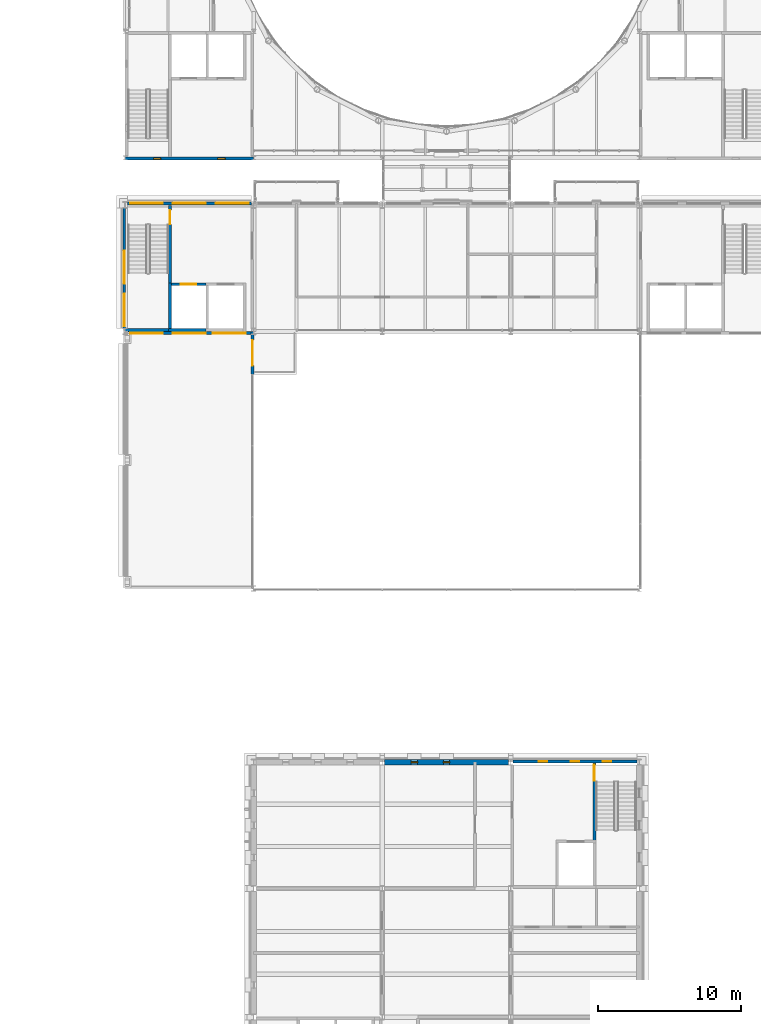
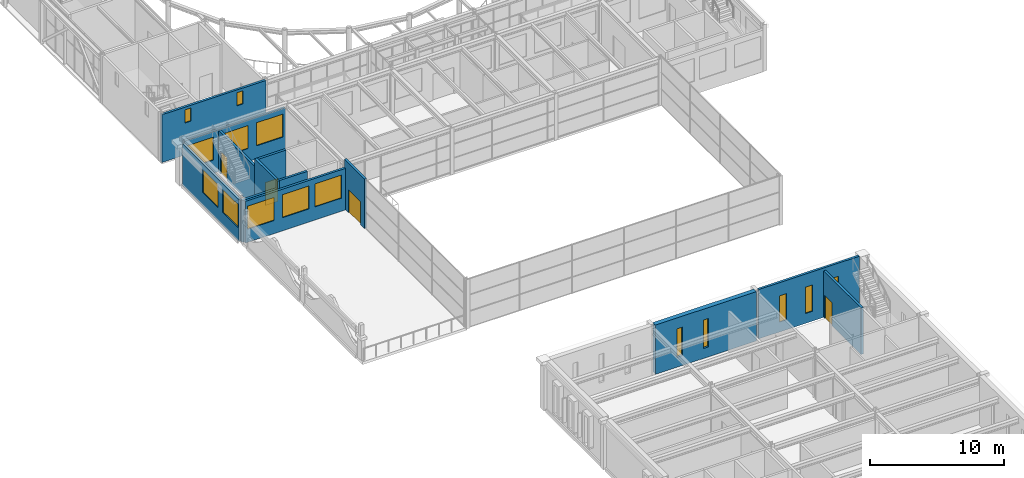
# One storey, part 51 of 70: 15 windows, 13 walls, 4 doors, 19 openings.
"""IFC4 building model written with IfcOpenShell, lengths in metres."""

from ifc_helpers import new_model, si_unit, direction, frame, frame_2d, origin, place, context, subcontext, project, spatial, rectangle, extrude, material, layer, layer_set, type_object, element, fill, save


model = new_model("IFC4")

# Units and contexts
model_context = context("Model", 3, precision=1e-05, world=origin(), true_north=direction((0.0, 1.0)))
body_context = subcontext(model_context, "Body", "Model", "MODEL_VIEW")
ifc_project = project(units=[si_unit("LENGTHUNIT", "METRE"), si_unit("AREAUNIT", "SQUARE_METRE"), si_unit("VOLUMEUNIT", "CUBIC_METRE"), si_unit("PLANEANGLEUNIT", "RADIAN"), si_unit("MASSUNIT", "GRAM", prefix="KILO")], contexts=[model_context])

# Site, building, storey
site_placement = place(None, origin())
site = spatial("IfcSite", under=ifc_project, at=site_placement, CompositionType="ELEMENT")
building_placement = place(site_placement, origin())
building = spatial("IfcBuilding", under=site, at=building_placement, Name="Kallimachos Central Library", CompositionType="ELEMENT")
storey_placement = place(building_placement, frame((0.0, 0.0, 18.89990234375)))
storey = spatial("IfcBuildingStorey", under=building, at=storey_placement, Name="L04", CompositionType="ELEMENT", Elevation=18.89990234375)

# Wall, opening, door
ifc_material_1 = material(Name="Brick masonry", Category="masonry")
ifc_layer_1 = layer(ifc_material_1, 0.199951171875)
ifc_layer_set_1 = layer_set([ifc_layer_1], Name="Atrium screen wall 200")
wall_type_1 = type_object("IfcWallType", Name="Atrium screen wall 200", PredefinedType="SOLIDWALL", material=ifc_layer_set_1)
wall_1_placement = place(storey_placement, frame((74.419921875, 72.0, 0.0), z_axis=(0.0, 0.0, 1.0), x_axis=(0.0, 1.0, 0.0)))
wall_1 = element("IfcWall", 1, at=wall_1_placement, inside=storey, type_object=wall_type_1, Name="L04 atrium screen wall W", PredefinedType="SOLIDWALL", context=body_context, shape_type="SweptSolid", body=[
    extrude(rectangle(XDim=3.0, YDim=0.199951171875, at=frame_2d((1.5, 0.0))), origin(), (0.0, 0.0, 1.0), 4.5),
])
opening_1_placement = place(wall_1_placement, frame((0.60009765625, 0.0, 0.0)))
opening_1 = element("IfcOpeningElement", 2, at=opening_1_placement, cuts=wall_1, Name="Opening D42", PredefinedType="OPENING", context=body_context, shape_type="SweptSolid", body=[
    extrude(rectangle(XDim=1.800048828125, YDim=2.10009765625, at=frame_2d((0.89990234375, 1.050048828125))), frame((0.0, 0.10986328125, 0.0), z_axis=(0.0, -1.0, 0.0), x_axis=(1.0, 0.0, 0.0)), (0.0, 0.0, 1.0), 0.219970703125),
])
ifc_material_2 = material(Name="Timber and glass", Category="wood")
door_type_1 = type_object("IfcDoorType", Name="Double leaf door 1800 x 2100, EI2 90", OperationType="DOUBLE_DOOR_SINGLE_SWING", PredefinedType="DOOR", material=ifc_material_2)
door_1_placement = place(opening_1_placement, origin())
door_1 = element("IfcDoor", 3, at=door_1_placement, inside=storey, type_object=door_type_1, Name="Atrium Door W", OperationType="DOUBLE_DOOR_SINGLE_SWING", OverallHeight=2.10009765625, OverallWidth=1.800048828125, PredefinedType="DOOR", context=body_context, shape_type="SweptSolid", body=[
    extrude(rectangle(XDim=1.800048828125, YDim=2.10009765625, at=frame_2d((0.89990234375, 1.050048828125))), frame((0.0, 0.02490234375, 0.0), z_axis=(0.0, -1.0, 0.0), x_axis=(1.0, 0.0, 0.0)), (0.0, 0.0, 1.0), 0.050048828125),
])
fill(opening_1, door_1)

ifc_material_3 = material(Name="Concrete C30/37", Category="concrete")
ifc_layer_2 = layer(ifc_material_3, 0.199951171875)
ifc_layer_set_2 = layer_set([ifc_layer_2], Name="Core wall 200")
wall_type_2 = type_object("IfcWallType", Name="Core wall 200", PredefinedType="SOLIDWALL", material=ifc_layer_set_2)
wall_2_placement = place(storey_placement, frame((98.35009765625, 39.199951171875, 0.0), z_axis=(0.0, 0.0, 1.0), x_axis=(0.0, 1.0, 0.0)))
wall_2 = element("IfcWall", 4, at=wall_2_placement, inside=storey, type_object=wall_type_2, Name="V5-WAL-L04-030", PredefinedType="SOLIDWALL", context=body_context, shape_type="SweptSolid", body=[
    extrude(rectangle(XDim=5.60009765625, YDim=0.199951171875, at=frame_2d((2.800048828125, 0.0))), origin(), (0.0, 0.0, 1.0), 4.25),
])
opening_2_placement = place(wall_2_placement, frame((4.35009765625, 0.0, 0.0)))
opening_2 = element("IfcOpeningElement", 5, at=opening_2_placement, cuts=wall_2, Name="Opening D133", PredefinedType="OPENING", context=body_context, shape_type="SweptSolid", body=[
    extrude(rectangle(XDim=1.10009765625, YDim=2.10009765625, at=frame_2d((0.550048828125, 1.050048828125))), frame((0.0, 0.10986328125, 0.0), z_axis=(0.0, -1.0, 0.0), x_axis=(1.0, 0.0, 0.0)), (0.0, 0.0, 1.0), 0.219970703125),
])
ifc_material_4 = material(Name="Steel fire door", Category="steel")
door_type_2 = type_object("IfcDoorType", Name="Fire door EI2 90 1100 x 2100", OperationType="NOTDEFINED", PredefinedType="DOOR", material=ifc_material_4)
door_2_placement = place(opening_2_placement, frame((1.10009765625, 0.0, 0.0), z_axis=(0.0, 0.0, 1.0), x_axis=(-1.0, 0.0, 0.0)))
door_2 = element("IfcDoor", 6, at=door_2_placement, inside=storey, type_object=door_type_2, Name="ST14 stair door L04", OperationType="SINGLE_SWING_RIGHT", OverallHeight=2.10009765625, OverallWidth=1.10009765625, PredefinedType="DOOR", context=body_context, shape_type="SweptSolid", body=[
    extrude(rectangle(XDim=1.10009765625, YDim=2.10009765625, at=frame_2d((0.550048828125, 1.050048828125))), frame((0.0, 0.02490234375, 0.0), z_axis=(0.0, -1.0, 0.0), x_axis=(1.0, 0.0, 0.0)), (0.0, 0.0, 1.0), 0.050048828125),
])
fill(opening_2, door_2)

ifc_material_5 = material(Name="Concrete C30/37", Category="concrete")
ifc_layer_3 = layer(ifc_material_5, 0.199951171875)
ifc_layer_set_3 = layer_set([ifc_layer_3], Name="Lift shaft wall 200")
wall_type_3 = type_object("IfcWallType", Name="Lift shaft wall 200", PredefinedType="SOLIDWALL", material=ifc_layer_set_3)
wall_3_placement = place(storey_placement, frame((68.75, 78.300048828125, 0.0), z_axis=(0.0, 0.0, 1.0), x_axis=(1.0, 0.0, 0.0)))
wall_3 = element("IfcWall", 7, at=wall_3_placement, inside=storey, type_object=wall_type_3, Name="V4-WAL-L04-001", PredefinedType="SOLIDWALL", context=body_context, shape_type="SweptSolid", body=[
    extrude(rectangle(XDim=2.39990234375, YDim=0.199951171875, at=frame_2d((1.199951171875, 0.0))), origin(), (0.0, 0.0, 1.0), 4.5),
])
opening_3_placement = place(wall_3_placement, frame((0.64990234375, 0.0, 0.0)))
opening_3 = element("IfcOpeningElement", 8, at=opening_3_placement, cuts=wall_3, Name="Opening LD1100", PredefinedType="OPENING", context=body_context, shape_type="SweptSolid", body=[
    extrude(rectangle(XDim=1.10009765625, YDim=2.10009765625, at=frame_2d((0.550048828125, 1.050048828125))), frame((0.0, 0.10986328125, 0.0), z_axis=(0.0, -1.0, 0.0), x_axis=(1.0, 0.0, 0.0)), (0.0, 0.0, 1.0), 0.219970703125),
])
ifc_material_6 = material(Name="Stainless steel", Category="steel")
door_type_3 = type_object("IfcDoorType", Name="Lift landing door 1100 x 2100", OperationType="SLIDING_TO_LEFT", PredefinedType="DOOR", material=ifc_material_6)
door_3_placement = place(opening_3_placement, origin())
door_3 = element("IfcDoor", 9, at=door_3_placement, inside=storey, type_object=door_type_3, Name="LF7 landing door L04", OperationType="SLIDING_TO_LEFT", OverallHeight=2.10009765625, OverallWidth=1.10009765625, PredefinedType="DOOR", context=body_context, shape_type="SweptSolid", body=[
    extrude(rectangle(XDim=1.10009765625, YDim=2.10009765625, at=frame_2d((0.550048828125, 1.050048828125))), frame((0.0, 0.02490234375, 0.0), z_axis=(0.0, -1.0, 0.0), x_axis=(1.0, 0.0, 0.0)), (0.0, 0.0, 1.0), 0.050048828125),
])
fill(opening_3, door_3)

# Walls
wall_4_placement = place(storey_placement, frame((68.550048828125, 75.10009765625, 0.0), z_axis=(0.0, 0.0, 1.0), x_axis=(1.0, 0.0, 0.0)))
element("IfcWall", 10, at=wall_4_placement, inside=storey, type_object=wall_type_3, Name="V4-WAL-L04-002", PredefinedType="SOLIDWALL", context=body_context, shape_type="SweptSolid", body=[
    extrude(rectangle(XDim=2.599853515625, YDim=0.199951171875, at=frame_2d((1.2998046875, 0.0))), origin(), (0.0, 0.0, 1.0), 4.5),
])
wall_5_placement = place(storey_placement, frame((68.64990234375, 75.0, 0.0), z_axis=(0.0, 0.0, 1.0), x_axis=(0.0, 1.0, 0.0)))
element("IfcWall", 11, at=wall_5_placement, inside=storey, type_object=wall_type_3, Name="V4-WAL-L04-003", PredefinedType="SOLIDWALL", context=body_context, shape_type="SweptSolid", body=[
    extrude(rectangle(XDim=3.39990234375, YDim=0.199951171875, at=frame_2d((1.699951171875, 0.0))), origin(), (0.0, 0.0, 1.0), 4.5),
])
ifc_material_7 = material(Name="Concrete C35/45", Category="concrete")
ifc_layer_4 = layer(ifc_material_7, 0.199951171875)
ifc_layer_set_4 = layer_set([ifc_layer_4], Name="Shear core wall 200, internal")
wall_type_4 = type_object("IfcWallType", Name="Shear core wall 200, internal", PredefinedType="SHEAR", material=ifc_layer_set_4)
wall_6_placement = place(storey_placement, frame((65.5, 75.10009765625, 0.0), z_axis=(0.0, 0.0, 1.0), x_axis=(1.0, 0.0, 0.0)))
element("IfcWall", 12, at=wall_6_placement, inside=storey, type_object=wall_type_4, Name="L04 core wall V4-NW S", PredefinedType="SHEAR", context=body_context, shape_type="SweptSolid", body=[
    extrude(rectangle(XDim=3.050048828125, YDim=0.199951171875, at=frame_2d((1.52490234375, 0.0))), origin(), (0.0, 0.0, 1.0), 3.800048828125),
])

# Wall, opening, door
wall_7_placement = place(storey_placement, frame((68.64990234375, 78.39990234375, 0.0), z_axis=(0.0, 0.0, 1.0), x_axis=(0.0, 1.0, 0.0)))
wall_7 = element("IfcWall", 13, at=wall_7_placement, inside=storey, type_object=wall_type_4, Name="L04 core wall V4-NW M", PredefinedType="SHEAR", context=body_context, shape_type="SweptSolid", body=[
    extrude(rectangle(XDim=5.400146484375, YDim=0.199951171875, at=frame_2d((2.7001953125, 0.0))), origin(), (0.0, 0.0, 1.0), 3.800048828125),
])
opening_4_placement = place(wall_7_placement, frame((4.10009765625, 0.0, 0.0)))
opening_4 = element("IfcOpeningElement", 14, at=opening_4_placement, cuts=wall_7, Name="Opening D155", PredefinedType="OPENING", context=body_context, shape_type="SweptSolid", body=[
    extrude(rectangle(XDim=1.0, YDim=2.10009765625, at=frame_2d((0.5, 1.050048828125))), frame((0.0, 0.10986328125, 0.0), z_axis=(0.0, -1.0, 0.0), x_axis=(1.0, 0.0, 0.0)), (0.0, 0.0, 1.0), 0.219970703125),
])
ifc_material_8 = material(Name="Timber", Category="wood")
door_type_4 = type_object("IfcDoorType", Name="Single leaf door 1000 x 2100, EI2 90", OperationType="NOTDEFINED", PredefinedType="DOOR", material=ifc_material_8)
door_4_placement = place(opening_4_placement, origin())
door_4 = element("IfcDoor", 15, at=door_4_placement, inside=storey, type_object=door_type_4, Name="L04 core door V4-NW", OperationType="SINGLE_SWING_RIGHT", OverallHeight=2.10009765625, OverallWidth=1.0, PredefinedType="DOOR", context=body_context, shape_type="SweptSolid", body=[
    extrude(rectangle(XDim=1.0, YDim=2.10009765625, at=frame_2d((0.5, 1.050048828125))), frame((0.0, 0.02490234375, 0.0), z_axis=(0.0, -1.0, 0.0), x_axis=(1.0, 0.0, 0.0)), (0.0, 0.0, 1.0), 0.050048828125),
])
fill(opening_4, door_4)

# Wall, openings, windows
ifc_material_9 = material(Name="Pentelic marble masonry", Category="masonry")
ifc_layer_5 = layer(ifc_material_9, 0.39990234375)
ifc_layer_set_5 = layer_set([ifc_layer_5], Name="Stone masonry wall 400")
wall_type_5 = type_object("IfcWallType", Name="Stone masonry wall 400", PredefinedType="SOLIDWALL", material=ifc_layer_set_5)
wall_8_placement = place(storey_placement, frame((83.64990234375, 44.85009765625, 0.0), z_axis=(0.0, 0.0, 1.0), x_axis=(1.0, 0.0, 0.0)))
wall_8 = element("IfcWall", 16, at=wall_8_placement, inside=storey, type_object=wall_type_5, Name="V5-WAL-L04-014", PredefinedType="SOLIDWALL", context=body_context, shape_type="SweptSolid", body=[
    extrude(rectangle(XDim=8.7001953125, YDim=0.39990234375, at=frame_2d((4.35009765625, 0.0))), origin(), (0.0, 0.0, 1.0), 4.5),
])
opening_5_placement = place(wall_8_placement, frame((1.875, 0.0, 0.89990234375)))
opening_5 = element("IfcOpeningElement", 17, at=opening_5_placement, cuts=wall_8, Name="Opening WN142", PredefinedType="OPENING", context=body_context, shape_type="SweptSolid", body=[
    extrude(rectangle(XDim=0.449951171875, YDim=2.60009765625, at=frame_2d((0.22509765625, 1.300048828125))), frame((0.0, 0.2099609375, 0.0), z_axis=(0.0, -1.0, 0.0), x_axis=(1.0, 0.0, 0.0)), (0.0, 0.0, 1.0), 0.419921875),
])
opening_6_placement = place(wall_8_placement, frame((4.125, 0.0, 0.89990234375)))
opening_6 = element("IfcOpeningElement", 18, at=opening_6_placement, cuts=wall_8, Name="Opening WN143", PredefinedType="OPENING", context=body_context, shape_type="SweptSolid", body=[
    extrude(rectangle(XDim=0.449951171875, YDim=2.60009765625, at=frame_2d((0.22509765625, 1.300048828125))), frame((0.0, 0.2099609375, 0.0), z_axis=(0.0, -1.0, 0.0), x_axis=(1.0, 0.0, 0.0)), (0.0, 0.0, 1.0), 0.419921875),
])
ifc_material_10 = material(Name="Anodised aluminium and laminated glass", Category="aluminium")
window_type_1 = type_object("IfcWindowType", Name="Stack slot window 450 x 2600", PartitioningType="SINGLE_PANEL", PredefinedType="WINDOW", material=ifc_material_10)
window_1_placement = place(opening_5_placement, origin())
window_1 = element("IfcWindow", 19, at=window_1_placement, inside=storey, type_object=window_type_1, Name="V5-WIN-L04-012", OverallHeight=2.60009765625, OverallWidth=0.449951171875, PartitioningType="SINGLE_PANEL", PredefinedType="WINDOW", context=body_context, shape_type="SweptSolid", body=[
    extrude(rectangle(XDim=0.449951171875, YDim=2.60009765625, at=frame_2d((0.22509765625, 1.300048828125))), frame((0.0, 0.030029296875, 0.0), z_axis=(0.0, -1.0, 0.0), x_axis=(1.0, 0.0, 0.0)), (0.0, 0.0, 1.0), 0.06005859375),
])
fill(opening_5, window_1)
window_2_placement = place(opening_6_placement, origin())
window_2 = element("IfcWindow", 20, at=window_2_placement, inside=storey, type_object=window_type_1, Name="V5-WIN-L04-013", OverallHeight=2.60009765625, OverallWidth=0.449951171875, PartitioningType="SINGLE_PANEL", PredefinedType="WINDOW", context=body_context, shape_type="SweptSolid", body=[
    extrude(rectangle(XDim=0.449951171875, YDim=2.60009765625, at=frame_2d((0.22509765625, 1.300048828125))), frame((0.0, 0.030029296875, 0.0), z_axis=(0.0, -1.0, 0.0), x_axis=(1.0, 0.0, 0.0)), (0.0, 0.0, 1.0), 0.06005859375),
])
fill(opening_6, window_2)

ifc_material_11 = material(Name="Concrete C30/37", Category="concrete")
ifc_layer_6 = layer(ifc_material_11, 0.199951171875)
ifc_layer_set_6 = layer_set([ifc_layer_6], Name="Stone-clad core wall 200")
wall_type_6 = type_object("IfcWallType", Name="Stone-clad core wall 200", PredefinedType="SOLIDWALL", material=ifc_layer_set_6)
wall_9_placement = place(storey_placement, frame((92.64990234375, 44.89990234375, 0.0), z_axis=(0.0, 0.0, 1.0), x_axis=(1.0, 0.0, 0.0)))
wall_9 = element("IfcWall", 21, at=wall_9_placement, inside=storey, type_object=wall_type_6, Name="V5-WAL-L04-015", PredefinedType="SOLIDWALL", context=body_context, shape_type="SweptSolid", body=[
    extrude(rectangle(XDim=8.7001953125, YDim=0.199951171875, at=frame_2d((4.35009765625, 0.0))), origin(), (0.0, 0.0, 1.0), 4.5),
])
opening_7_placement = place(wall_9_placement, frame((1.800048828125, 0.0, 0.89990234375)))
opening_7 = element("IfcOpeningElement", 22, at=opening_7_placement, cuts=wall_9, Name="Opening WN144", PredefinedType="OPENING", context=body_context, shape_type="SweptSolid", body=[
    extrude(rectangle(XDim=0.60009765625, YDim=2.39990234375, at=frame_2d((0.300048828125, 1.199951171875))), frame((0.0, 0.10986328125, 0.0), z_axis=(0.0, -1.0, 0.0), x_axis=(1.0, 0.0, 0.0)), (0.0, 0.0, 1.0), 0.219970703125),
])
opening_8_placement = place(wall_9_placement, frame((4.050048828125, 0.0, 0.89990234375)))
opening_8 = element("IfcOpeningElement", 23, at=opening_8_placement, cuts=wall_9, Name="Opening WN145", PredefinedType="OPENING", context=body_context, shape_type="SweptSolid", body=[
    extrude(rectangle(XDim=0.60009765625, YDim=2.39990234375, at=frame_2d((0.300048828125, 1.199951171875))), frame((0.0, 0.10986328125, 0.0), z_axis=(0.0, -1.0, 0.0), x_axis=(1.0, 0.0, 0.0)), (0.0, 0.0, 1.0), 0.219970703125),
])
opening_9_placement = place(wall_9_placement, frame((6.300048828125, 0.0, 0.89990234375)))
opening_9 = element("IfcOpeningElement", 24, at=opening_9_placement, cuts=wall_9, Name="Opening WN146", PredefinedType="OPENING", context=body_context, shape_type="SweptSolid", body=[
    extrude(rectangle(XDim=0.60009765625, YDim=2.39990234375, at=frame_2d((0.300048828125, 1.199951171875))), frame((0.0, 0.10986328125, 0.0), z_axis=(0.0, -1.0, 0.0), x_axis=(1.0, 0.0, 0.0)), (0.0, 0.0, 1.0), 0.219970703125),
])
ifc_material_12 = material(Name="Anodised aluminium and laminated glass", Category="aluminium")
window_type_2 = type_object("IfcWindowType", Name="Slot window 600 x 2400", PartitioningType="SINGLE_PANEL", PredefinedType="WINDOW", material=ifc_material_12)
window_3_placement = place(opening_7_placement, origin())
window_3 = element("IfcWindow", 25, at=window_3_placement, inside=storey, type_object=window_type_2, Name="V5-WIN-L04-014", OverallHeight=2.39990234375, OverallWidth=0.60009765625, PartitioningType="SINGLE_PANEL", PredefinedType="WINDOW", context=body_context, shape_type="SweptSolid", body=[
    extrude(rectangle(XDim=0.60009765625, YDim=2.39990234375, at=frame_2d((0.300048828125, 1.199951171875))), frame((0.0, 0.030029296875, 0.0), z_axis=(0.0, -1.0, 0.0), x_axis=(1.0, 0.0, 0.0)), (0.0, 0.0, 1.0), 0.06005859375),
])
fill(opening_7, window_3)
window_4_placement = place(opening_8_placement, origin())
window_4 = element("IfcWindow", 26, at=window_4_placement, inside=storey, type_object=window_type_2, Name="V5-WIN-L04-015", OverallHeight=2.39990234375, OverallWidth=0.60009765625, PartitioningType="SINGLE_PANEL", PredefinedType="WINDOW", context=body_context, shape_type="SweptSolid", body=[
    extrude(rectangle(XDim=0.60009765625, YDim=2.39990234375, at=frame_2d((0.300048828125, 1.199951171875))), frame((0.0, 0.030029296875, 0.0), z_axis=(0.0, -1.0, 0.0), x_axis=(1.0, 0.0, 0.0)), (0.0, 0.0, 1.0), 0.06005859375),
])
fill(opening_8, window_4)
window_5_placement = place(opening_9_placement, origin())
window_5 = element("IfcWindow", 27, at=window_5_placement, inside=storey, type_object=window_type_2, Name="V5-WIN-L04-016", OverallHeight=2.39990234375, OverallWidth=0.60009765625, PartitioningType="SINGLE_PANEL", PredefinedType="WINDOW", context=body_context, shape_type="SweptSolid", body=[
    extrude(rectangle(XDim=0.60009765625, YDim=2.39990234375, at=frame_2d((0.300048828125, 1.199951171875))), frame((0.0, 0.030029296875, 0.0), z_axis=(0.0, -1.0, 0.0), x_axis=(1.0, 0.0, 0.0)), (0.0, 0.0, 1.0), 0.06005859375),
])
fill(opening_9, window_5)

wall_10_placement = place(storey_placement, frame((65.510986328125, 87.10009765625, 0.0), z_axis=(0.0, 0.0, 1.0), x_axis=(1.0, 0.0, 0.0)))
wall_10 = element("IfcWall", 28, at=wall_10_placement, inside=storey, type_object=wall_type_6, Name="Core wall V1-SW S", PredefinedType="SOLIDWALL", context=body_context, shape_type="SweptSolid", body=[
    extrude(rectangle(XDim=8.97802734375, YDim=0.199951171875, at=frame_2d((4.489013671875, 0.0))), origin(), (0.0, 0.0, 1.0), 4.35009765625),
])
opening_10_placement = place(wall_10_placement, frame((1.989013671875, 0.0, 2.89990234375)))
opening_10 = element("IfcOpeningElement", 29, at=opening_10_placement, cuts=wall_10, Name="Opening W110", PredefinedType="OPENING", context=body_context, shape_type="SweptSolid", body=[
    extrude(rectangle(XDim=0.5, YDim=1.199951171875, at=frame_2d((0.25, 0.60009765625))), frame((0.0, 0.10986328125, 0.0), z_axis=(0.0, -1.0, 0.0), x_axis=(1.0, 0.0, 0.0)), (0.0, 0.0, 1.0), 0.219970703125),
])
opening_11_placement = place(wall_10_placement, frame((6.489013671875, 0.0, 2.89990234375)))
opening_11 = element("IfcOpeningElement", 30, at=opening_11_placement, cuts=wall_10, Name="Opening W111", PredefinedType="OPENING", context=body_context, shape_type="SweptSolid", body=[
    extrude(rectangle(XDim=0.5, YDim=1.199951171875, at=frame_2d((0.25, 0.60009765625))), frame((0.0, 0.10986328125, 0.0), z_axis=(0.0, -1.0, 0.0), x_axis=(1.0, 0.0, 0.0)), (0.0, 0.0, 1.0), 0.219970703125),
])
ifc_material_13 = material(Name="Laminated glass in bronze-anodised aluminium frame", Category="aluminium")
window_type_3 = type_object("IfcWindowType", Name="Stair slot window 500x1200", PartitioningType="SINGLE_PANEL", PredefinedType="WINDOW", material=ifc_material_13)
window_6_placement = place(opening_10_placement, origin())
window_6 = element("IfcWindow", 31, at=window_6_placement, inside=storey, type_object=window_type_3, Name="V1-WIN-L04-003", OverallHeight=1.199951171875, OverallWidth=0.5, PartitioningType="SINGLE_PANEL", PredefinedType="WINDOW", context=body_context, shape_type="SweptSolid", body=[
    extrude(rectangle(XDim=0.5, YDim=1.199951171875, at=frame_2d((0.25, 0.60009765625))), frame((0.0, 0.030029296875, 0.0), z_axis=(0.0, -1.0, 0.0), x_axis=(1.0, 0.0, 0.0)), (0.0, 0.0, 1.0), 0.06005859375),
])
fill(opening_10, window_6)
window_7_placement = place(opening_11_placement, origin())
window_7 = element("IfcWindow", 32, at=window_7_placement, inside=storey, type_object=window_type_3, Name="V1-WIN-L04-004", OverallHeight=1.199951171875, OverallWidth=0.5, PartitioningType="SINGLE_PANEL", PredefinedType="WINDOW", context=body_context, shape_type="SweptSolid", body=[
    extrude(rectangle(XDim=0.5, YDim=1.199951171875, at=frame_2d((0.25, 0.60009765625))), frame((0.0, 0.030029296875, 0.0), z_axis=(0.0, -1.0, 0.0), x_axis=(1.0, 0.0, 0.0)), (0.0, 0.0, 1.0), 0.06005859375),
])
fill(opening_11, window_7)

ifc_material_14 = material(Name="Brick masonry with Pentelic marble cladding", Category="masonry")
ifc_layer_7 = layer(ifc_material_14, 0.199951171875)
ifc_layer_set_7 = layer_set([ifc_layer_7], Name="Stone-clad masonry wall 200, EI 120")
wall_type_7 = type_object("IfcWallType", Name="Stone-clad masonry wall 200, EI 120", PredefinedType="SOLIDWALL", material=ifc_layer_set_7)
wall_11_placement = place(storey_placement, frame((65.653564453125, 83.966064453125, 0.0), z_axis=(0.0, 0.0, 1.0), x_axis=(1.0, 0.0, 0.0)))
wall_11 = element("IfcWall", 33, at=wall_11_placement, inside=storey, type_object=wall_type_7, Name="V4-WAL-L04-015", PredefinedType="SOLIDWALL", context=body_context, shape_type="SweptSolid", body=[
    extrude(rectangle(XDim=8.69287109375, YDim=0.199951171875, at=frame_2d((4.346435546875, 0.0))), origin(), (0.0, 0.0, 1.0), 3.800048828125),
])
opening_12_placement = place(wall_11_placement, frame((0.196533203125, 0.0, 1.199951171875)))
opening_12 = element("IfcOpeningElement", 34, at=opening_12_placement, cuts=wall_11, Name="Opening WN269", PredefinedType="OPENING", context=body_context, shape_type="SweptSolid", body=[
    extrude(rectangle(XDim=2.300048828125, YDim=2.10009765625, at=frame_2d((1.14990234375, 1.050048828125))), frame((0.0, 0.10986328125, 0.0), z_axis=(0.0, -1.0, 0.0), x_axis=(1.0, 0.0, 0.0)), (0.0, 0.0, 1.0), 0.219970703125),
])
opening_13_placement = place(wall_11_placement, frame((3.196533203125, 0.0, 1.199951171875)))
opening_13 = element("IfcOpeningElement", 35, at=opening_13_placement, cuts=wall_11, Name="Opening WN269", PredefinedType="OPENING", context=body_context, shape_type="SweptSolid", body=[
    extrude(rectangle(XDim=2.300048828125, YDim=2.10009765625, at=frame_2d((1.14990234375, 1.050048828125))), frame((0.0, 0.10986328125, 0.0), z_axis=(0.0, -1.0, 0.0), x_axis=(1.0, 0.0, 0.0)), (0.0, 0.0, 1.0), 0.219970703125),
])
opening_14_placement = place(wall_11_placement, frame((6.196533203125, 0.0, 1.199951171875)))
opening_14 = element("IfcOpeningElement", 36, at=opening_14_placement, cuts=wall_11, Name="Opening WN269", PredefinedType="OPENING", context=body_context, shape_type="SweptSolid", body=[
    extrude(rectangle(XDim=2.300048828125, YDim=2.10009765625, at=frame_2d((1.14990234375, 1.050048828125))), frame((0.0, 0.10986328125, 0.0), z_axis=(0.0, -1.0, 0.0), x_axis=(1.0, 0.0, 0.0)), (0.0, 0.0, 1.0), 0.219970703125),
])
ifc_material_15 = material(Name="Anodised aluminium and laminated glass", Category="aluminium")
window_type_4 = type_object("IfcWindowType", Name="Window 2300 x 2100, EI 120", PartitioningType="DOUBLE_PANEL_VERTICAL", PredefinedType="WINDOW", material=ifc_material_15)
window_8_placement = place(opening_12_placement, origin())
window_8 = element("IfcWindow", 37, at=window_8_placement, inside=storey, type_object=window_type_4, Name="V4-WIN-L04-001", OverallHeight=2.10009765625, OverallWidth=2.300048828125, PartitioningType="SINGLE_PANEL", PredefinedType="WINDOW", context=body_context, shape_type="SweptSolid", body=[
    extrude(rectangle(XDim=2.300048828125, YDim=2.10009765625, at=frame_2d((1.14990234375, 1.050048828125))), frame((0.0, 0.030029296875, 0.0), z_axis=(0.0, -1.0, 0.0), x_axis=(1.0, 0.0, 0.0)), (0.0, 0.0, 1.0), 0.06005859375),
])
fill(opening_12, window_8)
window_9_placement = place(opening_13_placement, origin())
window_9 = element("IfcWindow", 38, at=window_9_placement, inside=storey, type_object=window_type_4, Name="V4-WIN-L04-002", OverallHeight=2.10009765625, OverallWidth=2.300048828125, PartitioningType="SINGLE_PANEL", PredefinedType="WINDOW", context=body_context, shape_type="SweptSolid", body=[
    extrude(rectangle(XDim=2.300048828125, YDim=2.10009765625, at=frame_2d((1.14990234375, 1.050048828125))), frame((0.0, 0.030029296875, 0.0), z_axis=(0.0, -1.0, 0.0), x_axis=(1.0, 0.0, 0.0)), (0.0, 0.0, 1.0), 0.06005859375),
])
fill(opening_13, window_9)
window_10_placement = place(opening_14_placement, origin())
window_10 = element("IfcWindow", 39, at=window_10_placement, inside=storey, type_object=window_type_4, Name="V4-WIN-L04-003", OverallHeight=2.10009765625, OverallWidth=2.300048828125, PartitioningType="SINGLE_PANEL", PredefinedType="WINDOW", context=body_context, shape_type="SweptSolid", body=[
    extrude(rectangle(XDim=2.300048828125, YDim=2.10009765625, at=frame_2d((1.14990234375, 1.050048828125))), frame((0.0, 0.030029296875, 0.0), z_axis=(0.0, -1.0, 0.0), x_axis=(1.0, 0.0, 0.0)), (0.0, 0.0, 1.0), 0.06005859375),
])
fill(opening_14, window_10)

ifc_material_16 = material(Name="Brick masonry with Pentelic marble cladding", Category="masonry")
ifc_layer_8 = layer(ifc_material_16, 0.199951171875)
ifc_layer_set_8 = layer_set([ifc_layer_8], Name="Stone-clad masonry wall 200, load-bearing")
wall_type_8 = type_object("IfcWallType", Name="Stone-clad masonry wall 200, load-bearing", PredefinedType="SOLIDWALL", material=ifc_layer_set_8)
wall_12_placement = place(storey_placement, frame((65.653564453125, 74.884033203125, 0.0), z_axis=(0.0, 0.0, 1.0), x_axis=(1.0, 0.0, 0.0)))
wall_12 = element("IfcWall", 40, at=wall_12_placement, inside=storey, type_object=wall_type_8, Name="V4-WAL-L04-022", PredefinedType="SOLIDWALL", context=body_context, shape_type="SweptSolid", body=[
    extrude(rectangle(XDim=8.69287109375, YDim=0.199951171875, at=frame_2d((4.346435546875, 0.0))), origin(), (0.0, 0.0, 1.0), 3.800048828125),
])
opening_15_placement = place(wall_12_placement, frame((0.196533203125, 0.0, 1.199951171875)))
opening_15 = element("IfcOpeningElement", 41, at=opening_15_placement, cuts=wall_12, Name="Opening WN162", PredefinedType="OPENING", context=body_context, shape_type="SweptSolid", body=[
    extrude(rectangle(XDim=2.300048828125, YDim=2.10009765625, at=frame_2d((1.14990234375, 1.050048828125))), frame((0.0, 0.10986328125, 0.0), z_axis=(0.0, -1.0, 0.0), x_axis=(1.0, 0.0, 0.0)), (0.0, 0.0, 1.0), 0.219970703125),
])
opening_16_placement = place(wall_12_placement, frame((3.196533203125, 0.0, 1.199951171875)))
opening_16 = element("IfcOpeningElement", 42, at=opening_16_placement, cuts=wall_12, Name="Opening WN162", PredefinedType="OPENING", context=body_context, shape_type="SweptSolid", body=[
    extrude(rectangle(XDim=2.300048828125, YDim=2.10009765625, at=frame_2d((1.14990234375, 1.050048828125))), frame((0.0, 0.10986328125, 0.0), z_axis=(0.0, -1.0, 0.0), x_axis=(1.0, 0.0, 0.0)), (0.0, 0.0, 1.0), 0.219970703125),
])
opening_17_placement = place(wall_12_placement, frame((5.99658203125, 0.0, 1.199951171875)))
opening_17 = element("IfcOpeningElement", 43, at=opening_17_placement, cuts=wall_12, Name="Opening WN162", PredefinedType="OPENING", context=body_context, shape_type="SweptSolid", body=[
    extrude(rectangle(XDim=2.300048828125, YDim=2.10009765625, at=frame_2d((1.14990234375, 1.050048828125))), frame((0.0, 0.10986328125, 0.0), z_axis=(0.0, -1.0, 0.0), x_axis=(1.0, 0.0, 0.0)), (0.0, 0.0, 1.0), 0.219970703125),
])
ifc_material_17 = material(Name="Anodised aluminium and laminated glass", Category="aluminium")
window_type_5 = type_object("IfcWindowType", Name="Window 2300 x 2100", PartitioningType="DOUBLE_PANEL_VERTICAL", PredefinedType="WINDOW", material=ifc_material_17)
window_11_placement = place(opening_15_placement, origin())
window_11 = element("IfcWindow", 44, at=window_11_placement, inside=storey, type_object=window_type_5, Name="V4-WIN-L04-019", OverallHeight=2.10009765625, OverallWidth=2.300048828125, PartitioningType="SINGLE_PANEL", PredefinedType="WINDOW", context=body_context, shape_type="SweptSolid", body=[
    extrude(rectangle(XDim=2.300048828125, YDim=2.10009765625, at=frame_2d((1.14990234375, 1.050048828125))), frame((0.0, 0.030029296875, 0.0), z_axis=(0.0, -1.0, 0.0), x_axis=(1.0, 0.0, 0.0)), (0.0, 0.0, 1.0), 0.06005859375),
])
fill(opening_15, window_11)
window_12_placement = place(opening_16_placement, origin())
window_12 = element("IfcWindow", 45, at=window_12_placement, inside=storey, type_object=window_type_5, Name="V4-WIN-L04-020", OverallHeight=2.10009765625, OverallWidth=2.300048828125, PartitioningType="SINGLE_PANEL", PredefinedType="WINDOW", context=body_context, shape_type="SweptSolid", body=[
    extrude(rectangle(XDim=2.300048828125, YDim=2.10009765625, at=frame_2d((1.14990234375, 1.050048828125))), frame((0.0, 0.030029296875, 0.0), z_axis=(0.0, -1.0, 0.0), x_axis=(1.0, 0.0, 0.0)), (0.0, 0.0, 1.0), 0.06005859375),
])
fill(opening_16, window_12)
window_13_placement = place(opening_17_placement, origin())
window_13 = element("IfcWindow", 46, at=window_13_placement, inside=storey, type_object=window_type_5, Name="V4-WIN-L04-021", OverallHeight=2.10009765625, OverallWidth=2.300048828125, PartitioningType="SINGLE_PANEL", PredefinedType="WINDOW", context=body_context, shape_type="SweptSolid", body=[
    extrude(rectangle(XDim=2.300048828125, YDim=2.10009765625, at=frame_2d((1.14990234375, 1.050048828125))), frame((0.0, 0.030029296875, 0.0), z_axis=(0.0, -1.0, 0.0), x_axis=(1.0, 0.0, 0.0)), (0.0, 0.0, 1.0), 0.06005859375),
])
fill(opening_17, window_13)

ifc_material_18 = material(Name="Brick masonry with Pentelic marble cladding", Category="masonry")
ifc_layer_9 = layer(ifc_material_18, 0.199951171875)
ifc_layer_set_9 = layer_set([ifc_layer_9], Name="Stone-clad masonry wall 200, load-bearing, EI 120")
wall_type_9 = type_object("IfcWallType", Name="Stone-clad masonry wall 200, load-bearing, EI 120", PredefinedType="SOLIDWALL", material=ifc_layer_set_9)
wall_13_placement = place(storey_placement, frame((65.446533203125, 75.216064453125, 0.0), z_axis=(0.0, 0.0, 1.0), x_axis=(0.0, 1.0, 0.0)))
wall_13 = element("IfcWall", 47, at=wall_13_placement, inside=storey, type_object=wall_type_9, Name="V4-WAL-L04-020", PredefinedType="SOLIDWALL", context=body_context, shape_type="SweptSolid", body=[
    extrude(rectangle(XDim=8.41796875, YDim=0.199951171875, at=frame_2d((4.208984375, 0.0))), origin(), (0.0, 0.0, 1.0), 3.800048828125),
])
opening_18_placement = place(wall_13_placement, frame((0.134033203125, 0.0, 1.199951171875)))
opening_18 = element("IfcOpeningElement", 48, at=opening_18_placement, cuts=wall_13, Name="Opening WN269", PredefinedType="OPENING", context=body_context, shape_type="SweptSolid", body=[
    extrude(rectangle(XDim=2.300048828125, YDim=2.10009765625, at=frame_2d((1.14990234375, 1.050048828125))), frame((0.0, 0.10986328125, 0.0), z_axis=(0.0, -1.0, 0.0), x_axis=(1.0, 0.0, 0.0)), (0.0, 0.0, 1.0), 0.219970703125),
])
opening_19_placement = place(wall_13_placement, frame((3.134033203125, 0.0, 1.199951171875)))
opening_19 = element("IfcOpeningElement", 49, at=opening_19_placement, cuts=wall_13, Name="Opening WN269", PredefinedType="OPENING", context=body_context, shape_type="SweptSolid", body=[
    extrude(rectangle(XDim=2.300048828125, YDim=2.10009765625, at=frame_2d((1.14990234375, 1.050048828125))), frame((0.0, 0.10986328125, 0.0), z_axis=(0.0, -1.0, 0.0), x_axis=(1.0, 0.0, 0.0)), (0.0, 0.0, 1.0), 0.219970703125),
])
window_14_placement = place(opening_18_placement, origin())
window_14 = element("IfcWindow", 50, at=window_14_placement, inside=storey, type_object=window_type_4, Name="V4-WIN-L04-015", OverallHeight=2.10009765625, OverallWidth=2.300048828125, PartitioningType="SINGLE_PANEL", PredefinedType="WINDOW", context=body_context, shape_type="SweptSolid", body=[
    extrude(rectangle(XDim=2.300048828125, YDim=2.10009765625, at=frame_2d((1.14990234375, 1.050048828125))), frame((0.0, 0.030029296875, 0.0), z_axis=(0.0, -1.0, 0.0), x_axis=(1.0, 0.0, 0.0)), (0.0, 0.0, 1.0), 0.06005859375),
])
fill(opening_18, window_14)
window_15_placement = place(opening_19_placement, origin())
window_15 = element("IfcWindow", 51, at=window_15_placement, inside=storey, type_object=window_type_4, Name="V4-WIN-L04-016", OverallHeight=2.10009765625, OverallWidth=2.300048828125, PartitioningType="SINGLE_PANEL", PredefinedType="WINDOW", context=body_context, shape_type="SweptSolid", body=[
    extrude(rectangle(XDim=2.300048828125, YDim=2.10009765625, at=frame_2d((1.14990234375, 1.050048828125))), frame((0.0, 0.030029296875, 0.0), z_axis=(0.0, -1.0, 0.0), x_axis=(1.0, 0.0, 0.0)), (0.0, 0.0, 1.0), 0.06005859375),
])
fill(opening_19, window_15)

save(model, "model.ifc")
